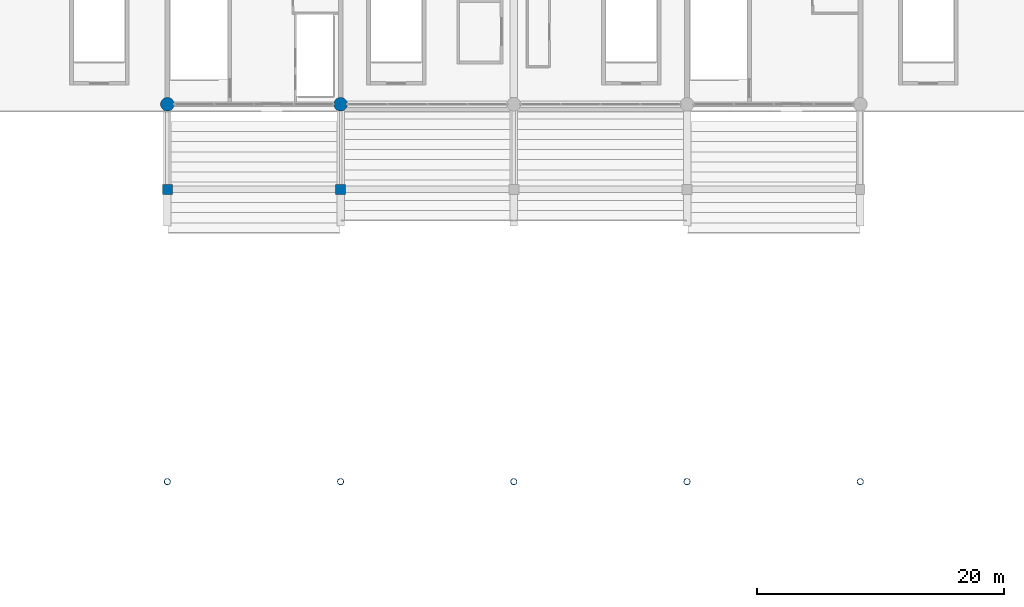
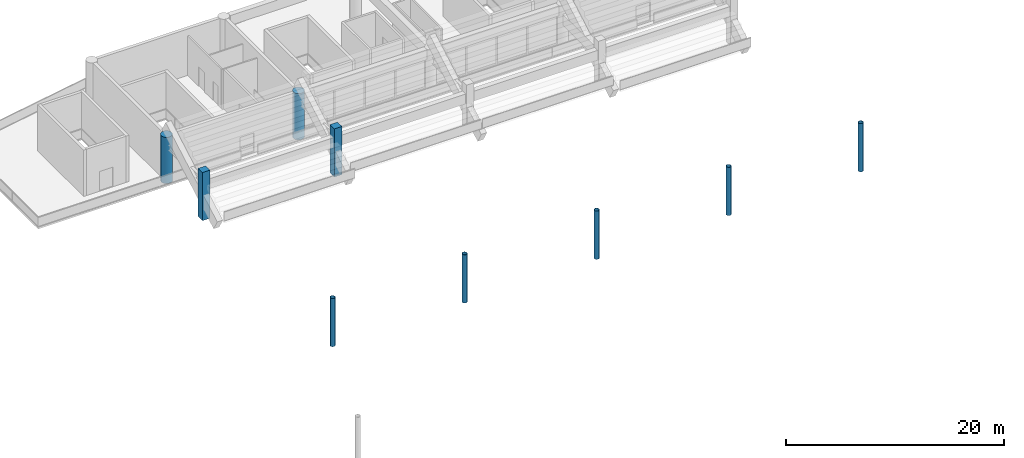
# One storey, part 9 of 90: 9 columns.
"""IFC4 building model written with IfcOpenShell, lengths in metres."""

from ifc_helpers import new_model, si_unit, direction, frame, origin, origin_2d, place, context, subcontext, project, spatial, rectangle, circle, hollow_circle, extrude, material, material_profile, profile_set, type_object, element, save


model = new_model("IFC4")

# Units and contexts
model_context = context("Model", 3, precision=1e-05, world=origin(), true_north=direction((0.0, 1.0)))
body_context = subcontext(model_context, "Body", "Model", "MODEL_VIEW")
ifc_project = project(units=[si_unit("LENGTHUNIT", "METRE"), si_unit("AREAUNIT", "SQUARE_METRE"), si_unit("VOLUMEUNIT", "CUBIC_METRE"), si_unit("PLANEANGLEUNIT", "RADIAN"), si_unit("MASSUNIT", "GRAM", prefix="KILO")], contexts=[model_context])

# Site, building, storey
site_placement = place(None, origin())
site = spatial("IfcSite", under=ifc_project, at=site_placement, CompositionType="ELEMENT")
building_placement = place(site_placement, origin())
building = spatial("IfcBuilding", under=site, at=building_placement, Name="Linyun Crest Stadium", CompositionType="ELEMENT")
storey_placement = place(building_placement, frame((0.0, 0.0, 21.0)))
storey = spatial("IfcBuildingStorey", under=building, at=storey_placement, Name="L05", CompositionType="ELEMENT", Elevation=21.0)

# Columns
ifc_material_1 = material(Name="Concrete C50", Category="concrete")
ifc_material_profile_1 = material_profile(ifc_material_1, rectangle(XDim=0.800048828125, YDim=0.800048828125, at=origin_2d()), Name="RC 800x800")
ifc_profile_set_1 = profile_set([ifc_material_profile_1], Name="Concrete C50")
column_type_1 = type_object("IfcColumnType", Name="C03", PredefinedType="COLUMN", material=ifc_profile_set_1)
for number, where, z_axis, x_axis, name in (
    (1, (-28.0, 84.625, 0.0), (0.0, 0.0, 1.0), (1.0, 0.0, 0.0), "Column C03 L05 577"),
    (2, (-14.0, 84.625, 0.0), (0.0, 0.0, 1.0), (1.0, 0.0, 0.0), "Column C03 L05 598"),
):
    element("IfcColumn", number, at=place(storey_placement, frame(where, z_axis=z_axis, x_axis=x_axis)), inside=storey, type_object=column_type_1, Name=name, PredefinedType="COLUMN", context=body_context, shape_type="SweptSolid", body=[
        extrude(rectangle(XDim=0.800048828125, YDim=0.800048828125, at=origin_2d()), origin(), (0.0, 0.0, 1.0), 5.39990234375),
    ])
ifc_material_2 = material(Name="Concrete C50", Category="concrete")
ifc_material_profile_2 = material_profile(ifc_material_2, circle(Radius=0.550048828125, at=origin_2d()), Name="RC D1100")
ifc_profile_set_2 = profile_set([ifc_material_profile_2], Name="Concrete C50")
column_type_2 = type_object("IfcColumnType", Name="C10", PredefinedType="COLUMN", material=ifc_profile_set_2)
for number, where, z_axis, x_axis, name in (
    (3, (-28.0, 91.5, 0.0), (0.0, 0.0, 1.0), (1.0, 0.0, 0.0), "Column C10 L05 583"),
    (4, (-14.0, 91.5, 0.0), (0.0, 0.0, 1.0), (1.0, 0.0, 0.0), "Column C10 L05 604"),
):
    element("IfcColumn", number, at=place(storey_placement, frame(where, z_axis=z_axis, x_axis=x_axis)), inside=storey, type_object=column_type_2, Name=name, PredefinedType="COLUMN", context=body_context, shape_type="SweptSolid", body=[
        extrude(circle(Radius=0.550048828125, at=origin_2d()), origin(), (0.0, 0.0, 1.0), 5.18505859375),
    ])
ifc_material_3 = material(Name="Steel Q355C", Category="steel")
ifc_material_profile_3 = material_profile(ifc_material_3, hollow_circle(Radius=0.25390625, WallThickness=0.02490234375, at=origin_2d()), Name="CHS 508x25")
ifc_profile_set_3 = profile_set([ifc_material_profile_3], Name="Steel Q355C")
column_type_3 = type_object("IfcColumnType", Name="SC05", PredefinedType="COLUMN", material=ifc_profile_set_3)
for number, where, z_axis, x_axis, name in (
    (5, (-28.0, 61.0, 0.0), (0.0, 0.0, 1.0), (1.0, 0.0, 0.0), "Arch colonnade column SC05 L05 34"),
    (6, (-14.0, 61.0, 0.0), (0.0, 0.0, 1.0), (1.0, 0.0, 0.0), "Arch colonnade column SC05 L05 36"),
    (7, (0.0, 61.0, 0.0), (0.0, 0.0, 1.0), (1.0, 0.0, 0.0), "Arch colonnade column SC05 L05 38"),
    (8, (14.0, 61.0, 0.0), (0.0, 0.0, 1.0), (1.0, 0.0, 0.0), "Arch colonnade column SC05 L05 40"),
    (9, (28.0, 61.0, 0.0), (0.0, 0.0, 1.0), (1.0, 0.0, 0.0), "Arch colonnade column SC05 L05 42"),
):
    element("IfcColumn", number, at=place(storey_placement, frame(where, z_axis=z_axis, x_axis=x_axis)), inside=storey, type_object=column_type_3, Name=name, PredefinedType="COLUMN", context=body_context, shape_type="SweptSolid", body=[
        extrude(hollow_circle(Radius=0.25390625, WallThickness=0.02490234375, at=origin_2d()), origin(), (0.0, 0.0, 1.0), 5.39990234375),
    ])

save(model, "model.ifc")
